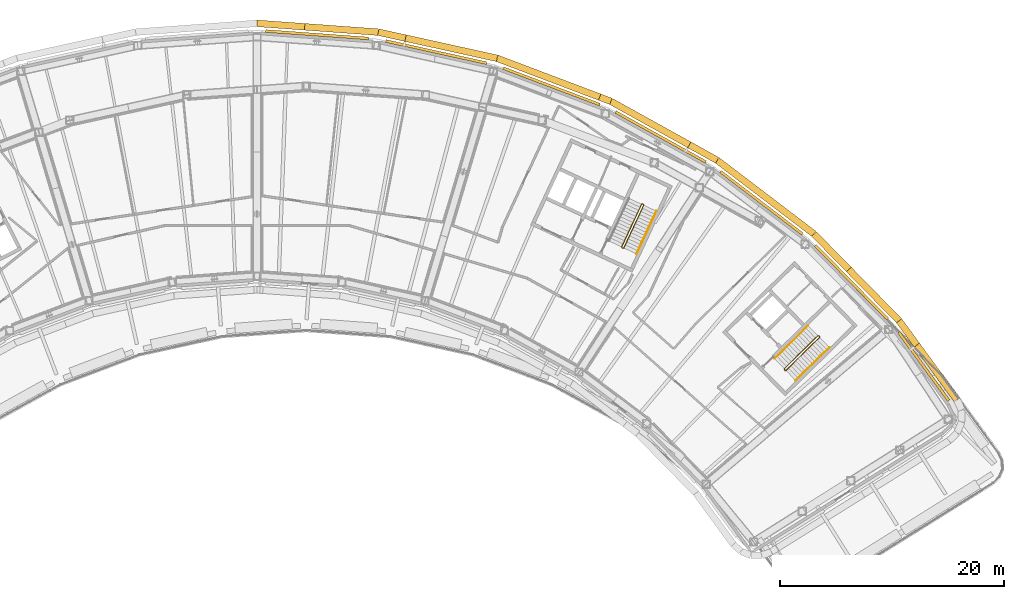
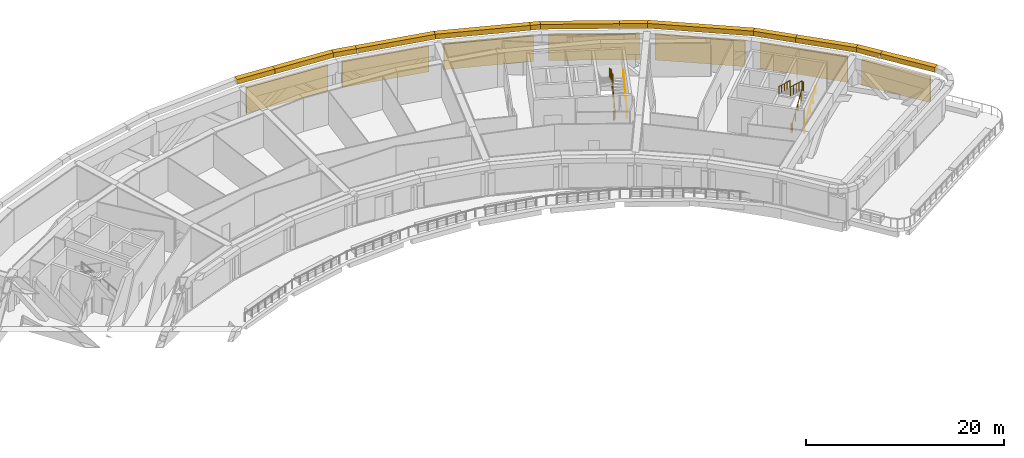
# One storey, part 24 of 26: 13 coverings, 7 shading devices, 5 railings.
"""IFC4 building model written with IfcOpenShell, lengths in metres."""

from ifc_helpers import new_model, si_unit, direction, frame, origin, origin_2d, place, context, subcontext, project, spatial, rectangle, circle, extrude, material, material_profile, profile_set, type_object, element, save


model = new_model("IFC4")

# Units and contexts
model_context = context("Model", 3, precision=1e-05, world=origin(), true_north=direction((0.0, 1.0)))
body_context = subcontext(model_context, "Body", "Model", "MODEL_VIEW")
ifc_project = project(units=[si_unit("LENGTHUNIT", "METRE"), si_unit("AREAUNIT", "SQUARE_METRE"), si_unit("VOLUMEUNIT", "CUBIC_METRE"), si_unit("PLANEANGLEUNIT", "RADIAN"), si_unit("MASSUNIT", "GRAM", prefix="KILO")], contexts=[model_context])

# Site, building, storey
site_placement = place(None, origin())
site = spatial("IfcSite", under=ifc_project, at=site_placement, CompositionType="ELEMENT")
building_placement = place(site_placement, origin())
building = spatial("IfcBuilding", under=site, at=building_placement, Name="Tuul Gate Civic Tower", CompositionType="ELEMENT")
storey_placement = place(building_placement, frame((0.0, 0.0, 167.60009765625)))
storey = spatial("IfcBuildingStorey", under=building, at=storey_placement, Name="Plant and refuge floor 5", CompositionType="ELEMENT", Elevation=167.60009765625)

# Shading devices
ifc_material_1 = material(Name="Aluminium louvre", Category="aluminium")
shading_device_type = type_object("IfcShadingDeviceType", Name="Louvre panel", PredefinedType="USERDEFINED", material=ifc_material_1)
shading_device_placement = place(storey_placement, frame((60.4765625, -15.7900390625, 0.300048828125), z_axis=(0.0, 0.0, 1.0), x_axis=(0.807578487079, 0.589760109881, 0.0)))
element("IfcShadingDevice", 1, at=shading_device_placement, inside=storey, type_object=shading_device_type, Name="Louvre panel", ObjectType="LOUVRE", PredefinedType="USERDEFINED", context=body_context, shape_type="SweptSolid", body=[
    extrude(rectangle(XDim=0.25, YDim=7.550048828125, at=origin_2d()), origin(), (0.0, 0.0, 1.0), 3.14990234375),
])
for number, where, z_axis, x_axis, name in (
    (2, (54.03515625, -8.284912109375, 0.300048828125), (0.0, 0.0, 1.0), (0.714100212908, 0.700043488595, 0.0), "Louvre panel"),
    (3, (45.98828125, -1.18359375, 0.300048828125), (0.0, 0.0, 1.0), (0.605807600786, 0.795611180684, 0.0), "Louvre panel"),
    (4, (37.001708984375, 4.684326171875, 0.300048828125), (0.0, 0.0, 1.0), (0.48478912347, 0.874631068374, 0.0), "Louvre panel"),
    (5, (27.26318359375, 9.19580078125, 0.300048828125), (0.0, 0.0, 1.0), (0.35373363489, 0.935346200905, 0.0), "Louvre panel"),
    (6, (16.976318359375, 12.257080078125, 0.300048828125), (0.0, 0.0, 1.0), (0.215215147882, 0.976566659334, 0.0), "Louvre panel"),
    (7, (6.35595703125, 13.8037109375, 0.300048828125), (0.0, 0.0, 1.0), (0.07223936563, 0.997387323989, 0.0), "Louvre panel"),
):
    element("IfcShadingDevice", number, at=place(storey_placement, frame(where, z_axis=z_axis, x_axis=x_axis)), inside=storey, type_object=shading_device_type, Name=name, ObjectType="LOUVRE", PredefinedType="USERDEFINED", context=body_context, shape_type="SweptSolid", body=[
        extrude(rectangle(XDim=0.25, YDim=9.199951171875, at=origin_2d()), origin(), (0.0, 0.0, 1.0), 3.14990234375),
    ])

# Railings
ifc_material_2 = material(Name="Painted steel", Category="steel")
railing_type_1 = type_object("IfcRailingType", Name="Stair guard", PredefinedType="GUARDRAIL", material=ifc_material_2)
railing_1_placement = place(storey_placement, frame((48.10546875, -16.134765625, 0.0)))
element("IfcRailing", 8, at=railing_1_placement, inside=storey, type_object=railing_type_1, Name="Plant and refuge floor 5 ST-3 stair guard 1", PredefinedType="GUARDRAIL", context=body_context, shape_type="SweptSolid", body=[
    extrude(circle(Radius=0.02392578125, at=origin_2d()), frame((0.0, 0.0, 1.076171875), z_axis=(-0.698506948293, 0.715603272202, 0.0), x_axis=(-0.715603272202, -0.698506948293, 0.0)), (0.0, 0.0, 1.0), 0.099853515625),
    extrude(circle(Radius=0.02392578125, at=origin_2d()), frame((-0.06982421875, 0.071533203125, 1.076171875), z_axis=(0.645446321009, -0.331687692741, 0.688027849131), x_axis=(0.457068866502, 0.889431307788, 0.0)), (0.0, 0.0, 1.0), 0.2177734375),
    extrude(circle(Radius=0.02392578125, at=origin_2d()), frame((0.07080078125, -0.000732421875, 1.22607421875), z_axis=(0.638710346515, 0.626128506559, 0.447227220246), x_axis=(-0.700038283577, 0.714105315431, 0.0)), (0.0, 0.0, 1.0), 4.69580078125),
    extrude(circle(Radius=0.02392578125, at=origin_2d()), frame((3.070068359375, 2.939453125, 3.326171875), z_axis=(0.010380063588, 0.999946125689, 0.0), x_axis=(-0.999946125689, 0.010380063588, 0.0)), (0.0, 0.0, 1.0), 0.070556640625),
    extrude(circle(Radius=0.02392578125, at=origin_2d()), frame((3.07080078125, 3.010009765625, 3.326171875), z_axis=(-0.699754442181, 0.714383454909, 0.0), x_axis=(-0.714383454909, -0.699754442181, 0.0)), (0.0, 0.0, 1.0), 0.10009765625),
    extrude(circle(Radius=0.02392578125, at=origin_2d()), frame((3.000732421875, 3.08154296875, 3.326171875), z_axis=(-0.425863839831, 0.004420731901, 0.904776462478), x_axis=(-0.010380063588, -0.999946125689, 0.0)), (0.0, 0.0, 1.0), 0.165771484375),
    extrude(circle(Radius=0.02392578125, at=origin_2d()), frame((2.93017578125, 3.082275390625, 3.47607421875), z_axis=(-0.63874112625, -0.626107714751, 0.447212369201), x_axis=(0.700009225839, -0.714133799606, 0.0)), (0.0, 0.0, 1.0), 4.696044921875),
    extrude(circle(Radius=0.02099609375, at=origin_2d()), origin(), (0.0, 0.0, 1.0), 1.052001953125),
    extrude(circle(Radius=0.02099609375, at=origin_2d()), frame((-0.06982421875, 0.071533203125, 0.0)), (0.0, 0.0, 1.0), 1.052001953125),
    extrude(circle(Radius=0.02099609375, at=origin_2d()), frame((0.07080078125, -0.000732421875, 0.14990234375)), (0.0, 0.0, 1.0), 1.052001953125),
    extrude(circle(Radius=0.02099609375, at=origin_2d()), frame((0.820556640625, 0.734375, 0.6748046875)), (0.0, 0.0, 1.0), 1.052001953125),
    extrude(circle(Radius=0.02099609375, at=origin_2d()), frame((1.5703125, 1.46923828125, 1.199951171875)), (0.0, 0.0, 1.0), 1.052001953125),
    extrude(circle(Radius=0.02099609375, at=origin_2d()), frame((2.3203125, 2.204345703125, 1.72509765625)), (0.0, 0.0, 1.0), 1.052001953125),
    extrude(circle(Radius=0.02099609375, at=origin_2d()), frame((3.070068359375, 2.939453125, 2.25)), (0.0, 0.0, 1.0), 1.052001953125),
    extrude(circle(Radius=0.02099609375, at=origin_2d()), frame((3.07080078125, 3.010009765625, 2.25)), (0.0, 0.0, 1.0), 1.052001953125),
    extrude(circle(Radius=0.02099609375, at=origin_2d()), frame((3.000732421875, 3.08154296875, 2.25)), (0.0, 0.0, 1.0), 1.052001953125),
    extrude(circle(Radius=0.02099609375, at=origin_2d()), frame((2.93017578125, 3.082275390625, 2.39990234375)), (0.0, 0.0, 1.0), 1.052001953125),
    extrude(circle(Radius=0.02099609375, at=origin_2d()), frame((2.18017578125, 2.34716796875, 2.9248046875)), (0.0, 0.0, 1.0), 1.052001953125),
    extrude(circle(Radius=0.02099609375, at=origin_2d()), frame((1.430419921875, 1.6123046875, 3.449951171875)), (0.0, 0.0, 1.0), 1.052001953125),
    extrude(circle(Radius=0.02099609375, at=origin_2d()), frame((0.6806640625, 0.877197265625, 3.97509765625)), (0.0, 0.0, 1.0), 1.052001953125),
    extrude(circle(Radius=0.02099609375, at=origin_2d()), frame((-0.0693359375, 0.14208984375, 4.5)), (0.0, 0.0, 1.0), 1.052001953125),
])
railing_2_placement = place(storey_placement, frame((33.645751953125, -5.238525390625, 0.0)))
element("IfcRailing", 9, at=railing_2_placement, inside=storey, type_object=railing_type_1, Name="Plant and refuge floor 5 ST-4 stair guard 1", PredefinedType="GUARDRAIL", context=body_context, shape_type="SweptSolid", body=[
    extrude(circle(Radius=0.02392578125, at=origin_2d()), frame((0.0, 0.0, 1.076171875), z_axis=(-0.906307919131, 0.422617978463, 0.0), x_axis=(-0.422617978463, -0.906307919131, 0.0)), (0.0, 0.0, 1.0), 0.099853515625),
    extrude(circle(Radius=0.02392578125, at=origin_2d()), frame((-0.090576171875, 0.042236328125, 1.076171875), z_axis=(0.720735628292, -0.082946246491, 0.688229666829), x_axis=(0.114330889033, 0.993442724979, 0.0)), (0.0, 0.0, 1.0), 0.2177734375),
    extrude(circle(Radius=0.02392578125, at=origin_2d()), frame((0.06640625, 0.024169921875, 1.22607421875), z_axis=(0.377970874565, 0.810635746385, 0.447222209492), x_axis=(-0.906322681284, 0.422586319455, 0.0)), (0.0, 0.0, 1.0), 4.69580078125),
    extrude(circle(Radius=0.02392578125, at=origin_2d()), frame((1.84130859375, 3.830810546875, 3.326171875), z_axis=(-0.342020437038, 0.939692513883, 0.0), x_axis=(-0.939692513883, -0.342020437038, 0.0)), (0.0, 0.0, 1.0), 0.070556640625),
    extrude(circle(Radius=0.02392578125, at=origin_2d()), frame((1.817138671875, 3.897216796875, 3.326171875), z_axis=(-0.906742786819, 0.421684145483, 0.0), x_axis=(-0.421684145483, -0.906742786819, 0.0)), (0.0, 0.0, 1.0), 0.10009765625),
    extrude(circle(Radius=0.02392578125, at=origin_2d()), frame((1.726318359375, 3.939453125, 3.326171875), z_axis=(-0.40070210376, -0.145843780413, 0.904526072458), x_axis=(0.342020437038, -0.939692513883, 0.0)), (0.0, 0.0, 1.0), 0.165771484375),
    extrude(circle(Radius=0.02392578125, at=origin_2d()), frame((1.659912109375, 3.915283203125, 3.47607421875), z_axis=(-0.377926310225, -0.810651675474, 0.447230997462), x_axis=(0.906344943348, -0.422538570626, 0.0)), (0.0, 0.0, 1.0), 4.69580078125),
    extrude(circle(Radius=0.02099609375, at=origin_2d()), origin(), (0.0, 0.0, 1.0), 1.052001953125),
    extrude(circle(Radius=0.02099609375, at=origin_2d()), frame((-0.090576171875, 0.042236328125, 0.0)), (0.0, 0.0, 1.0), 1.052001953125),
    extrude(circle(Radius=0.02099609375, at=origin_2d()), frame((0.06640625, 0.024169921875, 0.14990234375)), (0.0, 0.0, 1.0), 1.052001953125),
    extrude(circle(Radius=0.02099609375, at=origin_2d()), frame((0.51025390625, 0.975830078125, 0.6748046875)), (0.0, 0.0, 1.0), 1.052001953125),
    extrude(circle(Radius=0.02099609375, at=origin_2d()), frame((0.953857421875, 1.927490234375, 1.199951171875)), (0.0, 0.0, 1.0), 1.052001953125),
    extrude(circle(Radius=0.02099609375, at=origin_2d()), frame((1.3974609375, 2.879150390625, 1.72509765625)), (0.0, 0.0, 1.0), 1.052001953125),
    extrude(circle(Radius=0.02099609375, at=origin_2d()), frame((1.84130859375, 3.830810546875, 2.25)), (0.0, 0.0, 1.0), 1.052001953125),
    extrude(circle(Radius=0.02099609375, at=origin_2d()), frame((1.817138671875, 3.897216796875, 2.25)), (0.0, 0.0, 1.0), 1.052001953125),
    extrude(circle(Radius=0.02099609375, at=origin_2d()), frame((1.726318359375, 3.939453125, 2.25)), (0.0, 0.0, 1.0), 1.052001953125),
    extrude(circle(Radius=0.02099609375, at=origin_2d()), frame((1.659912109375, 3.915283203125, 2.39990234375)), (0.0, 0.0, 1.0), 1.052001953125),
    extrude(circle(Radius=0.02099609375, at=origin_2d()), frame((1.21630859375, 2.963623046875, 2.9248046875)), (0.0, 0.0, 1.0), 1.052001953125),
    extrude(circle(Radius=0.02099609375, at=origin_2d()), frame((0.7724609375, 2.011962890625, 3.449951171875)), (0.0, 0.0, 1.0), 1.052001953125),
    extrude(circle(Radius=0.02099609375, at=origin_2d()), frame((0.328857421875, 1.060302734375, 3.97509765625)), (0.0, 0.0, 1.0), 1.052001953125),
    extrude(circle(Radius=0.02099609375, at=origin_2d()), frame((-0.11474609375, 0.108642578125, 4.5)), (0.0, 0.0, 1.0), 1.052001953125),
])
ifc_material_3 = material(Name="Painted steel", Category="steel")
railing_type_2 = type_object("IfcRailingType", Name="Stair handrail", PredefinedType="HANDRAIL", material=ifc_material_3)
railing_3_placement = place(storey_placement, frame((49.05126953125, -17.028076171875, 0.14990234375)))
element("IfcRailing", 10, at=railing_3_placement, inside=storey, type_object=railing_type_2, Name="Plant and refuge floor 5 ST-3 stair handrail 1", PredefinedType="HANDRAIL", context=body_context, shape_type="SweptSolid", body=[
    extrude(circle(Radius=0.02392578125, at=origin_2d()), frame((0.0, 0.0, 0.8759765625), z_axis=(0.638710346515, 0.626128506559, 0.447227220246), x_axis=(-0.700038283577, 0.714105315431, 0.0)), (0.0, 0.0, 1.0), 4.69580078125),
    extrude(circle(Radius=0.02099609375, at=origin_2d()), origin(), (0.0, 0.0, 1.0), 0.851806640625),
    extrude(circle(Radius=0.02099609375, at=origin_2d()), frame((0.749755859375, 0.735107421875, 0.52490234375)), (0.0, 0.0, 1.0), 0.851806640625),
    extrude(circle(Radius=0.02099609375, at=origin_2d()), frame((1.49951171875, 1.47021484375, 1.050048828125)), (0.0, 0.0, 1.0), 0.851806640625),
    extrude(circle(Radius=0.02099609375, at=origin_2d()), frame((2.24951171875, 2.205078125, 1.5751953125)), (0.0, 0.0, 1.0), 0.851806640625),
    extrude(circle(Radius=0.02099609375, at=origin_2d()), frame((2.999267578125, 2.940185546875, 2.10009765625)), (0.0, 0.0, 1.0), 0.851806640625),
])
railing_4_placement = place(storey_placement, frame((50.16064453125, -12.159912109375, 2.39990234375)))
element("IfcRailing", 11, at=railing_4_placement, inside=storey, type_object=railing_type_2, Name="Plant and refuge floor 5 ST-3 stair handrail 2", PredefinedType="HANDRAIL", context=body_context, shape_type="SweptSolid", body=[
    extrude(circle(Radius=0.02392578125, at=origin_2d()), frame((0.0, 0.0, 0.8759765625), z_axis=(-0.638761918021, -0.626076104249, 0.447226926487), x_axis=(0.699979580613, -0.714162857284, 0.0)), (0.0, 0.0, 1.0), 4.69580078125),
    extrude(circle(Radius=0.02099609375, at=origin_2d()), origin(), (0.0, 0.0, 1.0), 0.851806640625),
    extrude(circle(Radius=0.02099609375, at=origin_2d()), frame((-0.75, -0.73486328125, 0.52490234375)), (0.0, 0.0, 1.0), 0.851806640625),
    extrude(circle(Radius=0.02099609375, at=origin_2d()), frame((-1.499755859375, -1.469970703125, 1.050048828125)), (0.0, 0.0, 1.0), 0.851806640625),
    extrude(circle(Radius=0.02099609375, at=origin_2d()), frame((-2.24951171875, -2.205078125, 1.5751953125)), (0.0, 0.0, 1.0), 0.851806640625),
    extrude(circle(Radius=0.02099609375, at=origin_2d()), frame((-2.99951171875, -2.93994140625, 2.10009765625)), (0.0, 0.0, 1.0), 0.851806640625),
])
railing_5_placement = place(storey_placement, frame((34.844970703125, -5.74267578125, 0.14990234375)))
element("IfcRailing", 12, at=railing_5_placement, inside=storey, type_object=railing_type_2, Name="Plant and refuge floor 5 ST-4 stair handrail 1", PredefinedType="HANDRAIL", context=body_context, shape_type="SweptSolid", body=[
    extrude(circle(Radius=0.02392578125, at=origin_2d()), frame((0.0, 0.0, 0.8759765625), z_axis=(0.377970874565, 0.810635746385, 0.447222209492), x_axis=(-0.906322681284, 0.422586319455, 0.0)), (0.0, 0.0, 1.0), 4.69580078125),
    extrude(circle(Radius=0.02099609375, at=origin_2d()), origin(), (0.0, 0.0, 1.0), 0.851806640625),
    extrude(circle(Radius=0.02099609375, at=origin_2d()), frame((0.44384765625, 0.95166015625, 0.52490234375)), (0.0, 0.0, 1.0), 0.851806640625),
    extrude(circle(Radius=0.02099609375, at=origin_2d()), frame((0.887451171875, 1.9033203125, 1.050048828125)), (0.0, 0.0, 1.0), 0.851806640625),
    extrude(circle(Radius=0.02099609375, at=origin_2d()), frame((1.3310546875, 2.85498046875, 1.5751953125)), (0.0, 0.0, 1.0), 0.851806640625),
    extrude(circle(Radius=0.02099609375, at=origin_2d()), frame((1.77490234375, 3.806640625, 2.10009765625)), (0.0, 0.0, 1.0), 0.851806640625),
])

# Coverings
ifc_material_4 = material(Name="Terracotta baguette", Category="masonry")
ifc_material_profile = material_profile(ifc_material_4, rectangle(XDim=0.60009765625, YDim=0.60009765625, at=origin_2d()), Name="Terracotta baguette screen frame")
ifc_profile_set = profile_set([ifc_material_profile], Name="Terracotta baguette")
covering_type = type_object("IfcCoveringType", Name="Terracotta baguette screen frame", PredefinedType="CLADDING", material=ifc_profile_set)
covering_1_placement = place(storey_placement, frame((59.860595703125, -13.88671875, 4.14990234375), z_axis=(-0.58975169847, 0.807584629715, 0.0), x_axis=(-0.807584629715, -0.58975169847, 0.0)))
element("IfcCovering", 13, at=covering_1_placement, inside=storey, type_object=covering_type, Name="Baguette 21", PredefinedType="CLADDING", context=body_context, shape_type="SweptSolid", body=[
    extrude(rectangle(XDim=0.60009765625, YDim=0.60009765625, at=origin_2d()), origin(), (0.0, 0.0, 1.0), 2.680908203125),
])
covering_2_placement = place(storey_placement, frame((58.279541015625, -11.7216796875, 4.14990234375), z_axis=(-0.700039399016, 0.714104221963, 0.0), x_axis=(-0.714104221963, -0.700039399016, 0.0)))
element("IfcCovering", 14, at=covering_2_placement, inside=storey, type_object=covering_type, Name="Baguette 22", PredefinedType="CLADDING", context=body_context, shape_type="SweptSolid", body=[
    extrude(rectangle(XDim=0.60009765625, YDim=0.60009765625, at=origin_2d()), origin(), (0.0, 0.0, 1.0), 6.4052734375),
])
covering_3_placement = place(storey_placement, frame((39.55908203125, 3.981201171875, 4.14990234375), z_axis=(-0.874621635981, 0.484806140508, 0.0), x_axis=(-0.484806140508, -0.874621635981, 0.0)))
element("IfcCovering", 15, at=covering_3_placement, inside=storey, type_object=covering_type, Name="Baguette 45", PredefinedType="CLADDING", context=body_context, shape_type="SweptSolid", body=[
    extrude(rectangle(XDim=0.60009765625, YDim=0.60009765625, at=origin_2d()), origin(), (0.0, 0.0, 1.0), 8.00341796875),
])
covering_4_placement = place(storey_placement, frame((32.55908203125, 7.861328125, 4.14990234375), z_axis=(-0.935320988118, 0.353800295628, 0.0), x_axis=(-0.353800295628, -0.935320988118, 0.0)))
element("IfcCovering", 16, at=covering_4_placement, inside=storey, type_object=covering_type, Name="Baguette 46", PredefinedType="CLADDING", context=body_context, shape_type="SweptSolid", body=[
    extrude(rectangle(XDim=0.60009765625, YDim=0.60009765625, at=origin_2d()), origin(), (0.0, 0.0, 1.0), 1.06884765625),
])
covering_5_placement = place(storey_placement, frame((14.242919921875, 13.49951171875, 4.14990234375), z_axis=(-0.976564116236, 0.215226687194, 0.0), x_axis=(-0.215226687194, -0.976564116236, 0.0)))
element("IfcCovering", 17, at=covering_5_placement, inside=storey, type_object=covering_type, Name="Baguette 63", PredefinedType="CLADDING", context=body_context, shape_type="SweptSolid", body=[
    extrude(rectangle(XDim=0.60009765625, YDim=0.60009765625, at=origin_2d()), origin(), (0.0, 0.0, 1.0), 2.48876953125),
])
covering_6_placement = place(storey_placement, frame((11.8125, 14.03515625, 4.14990234375), z_axis=(-0.997387623225, 0.072235234043, 0.0), x_axis=(-0.072235234043, -0.997387623225, 0.0)))
element("IfcCovering", 18, at=covering_6_placement, inside=storey, type_object=covering_type, Name="Baguette 64", PredefinedType="CLADDING", context=body_context, shape_type="SweptSolid", body=[
    extrude(rectangle(XDim=0.60009765625, YDim=0.60009765625, at=origin_2d()), origin(), (0.0, 0.0, 1.0), 6.583740234375),
])
covering_7_placement = place(storey_placement, frame((53.795654296875, -7.147705078125, 4.14990234375), z_axis=(-0.700042309404, 0.714101368885, 0.0), x_axis=(-0.714101368885, -0.700042309404, 0.0)))
element("IfcCovering", 19, at=covering_7_placement, inside=storey, type_object=covering_type, Name="Baguette 363", PredefinedType="CLADDING", context=body_context, shape_type="SweptSolid", body=[
    extrude(rectangle(XDim=0.60009765625, YDim=0.60009765625, at=origin_2d()), origin(), (0.0, 0.0, 1.0), 4.445556640625),
])
covering_8_placement = place(storey_placement, frame((50.68359375, -3.97314453125, 4.14990234375), z_axis=(-0.795618643442, 0.605797799771, 0.0), x_axis=(-0.605797799771, -0.795618643442, 0.0)))
element("IfcCovering", 20, at=covering_8_placement, inside=storey, type_object=covering_type, Name="Baguette 364", PredefinedType="CLADDING", context=body_context, shape_type="SweptSolid", body=[
    extrude(rectangle(XDim=0.60009765625, YDim=0.60009765625, at=origin_2d()), origin(), (0.0, 0.0, 1.0), 10.851318359375),
])
covering_9_placement = place(storey_placement, frame((42.050048828125, 2.6005859375, 4.14990234375), z_axis=(-0.874642070028, 0.484769274332, 0.0), x_axis=(-0.484769274332, -0.874642070028, 0.0)))
element("IfcCovering", 21, at=covering_9_placement, inside=storey, type_object=covering_type, Name="Baguette 365", PredefinedType="CLADDING", context=body_context, shape_type="SweptSolid", body=[
    extrude(rectangle(XDim=0.60009765625, YDim=0.60009765625, at=origin_2d()), origin(), (0.0, 0.0, 1.0), 2.847900390625),
])
covering_10_placement = place(storey_placement, frame((31.559326171875, 8.239501953125, 4.14990234375), z_axis=(-0.935351210517, 0.353720388138, 0.0), x_axis=(-0.353720388138, -0.935351210517, 0.0)))
element("IfcCovering", 22, at=covering_10_placement, inside=storey, type_object=covering_type, Name="Baguette 366", PredefinedType="CLADDING", context=body_context, shape_type="SweptSolid", body=[
    extrude(rectangle(XDim=0.60009765625, YDim=0.60009765625, at=origin_2d()), origin(), (0.0, 0.0, 1.0), 9.7822265625),
])
covering_11_placement = place(storey_placement, frame((22.409423828125, 11.69970703125, 4.14990234375), z_axis=(-0.976564757284, 0.215223778496, 0.0), x_axis=(-0.215223778496, -0.976564757284, 0.0)))
element("IfcCovering", 23, at=covering_11_placement, inside=storey, type_object=covering_type, Name="Baguette 367", PredefinedType="CLADDING", context=body_context, shape_type="SweptSolid", body=[
    extrude(rectangle(XDim=0.60009765625, YDim=0.60009765625, at=origin_2d()), origin(), (0.0, 0.0, 1.0), 8.362548828125),
])
covering_12_placement = place(storey_placement, frame((5.245849609375, 14.5107421875, 4.14990234375), z_axis=(-0.997385572989, 0.072263537098, 0.0), x_axis=(-0.072263537098, -0.997385572989, 0.0)))
element("IfcCovering", 24, at=covering_12_placement, inside=storey, type_object=covering_type, Name="Baguette 368", PredefinedType="CLADDING", context=body_context, shape_type="SweptSolid", body=[
    extrude(rectangle(XDim=0.60009765625, YDim=0.60009765625, at=origin_2d()), origin(), (0.0, 0.0, 1.0), 4.26708984375),
])
covering_13_placement = place(storey_placement, frame((63.43115234375, -18.77587890625, 4.14990234375), z_axis=(-0.589769860681, 0.807571366154, 0.0), x_axis=(-0.807571366154, -0.589769860681, 0.0)))
element("IfcCovering", 25, at=covering_13_placement, inside=storey, type_object=covering_type, Name="Baguette 400", PredefinedType="CLADDING", context=body_context, shape_type="SweptSolid", body=[
    extrude(rectangle(XDim=0.60009765625, YDim=0.60009765625, at=origin_2d()), origin(), (0.0, 0.0, 1.0), 6.05419921875),
])

save(model, "model.ifc")
